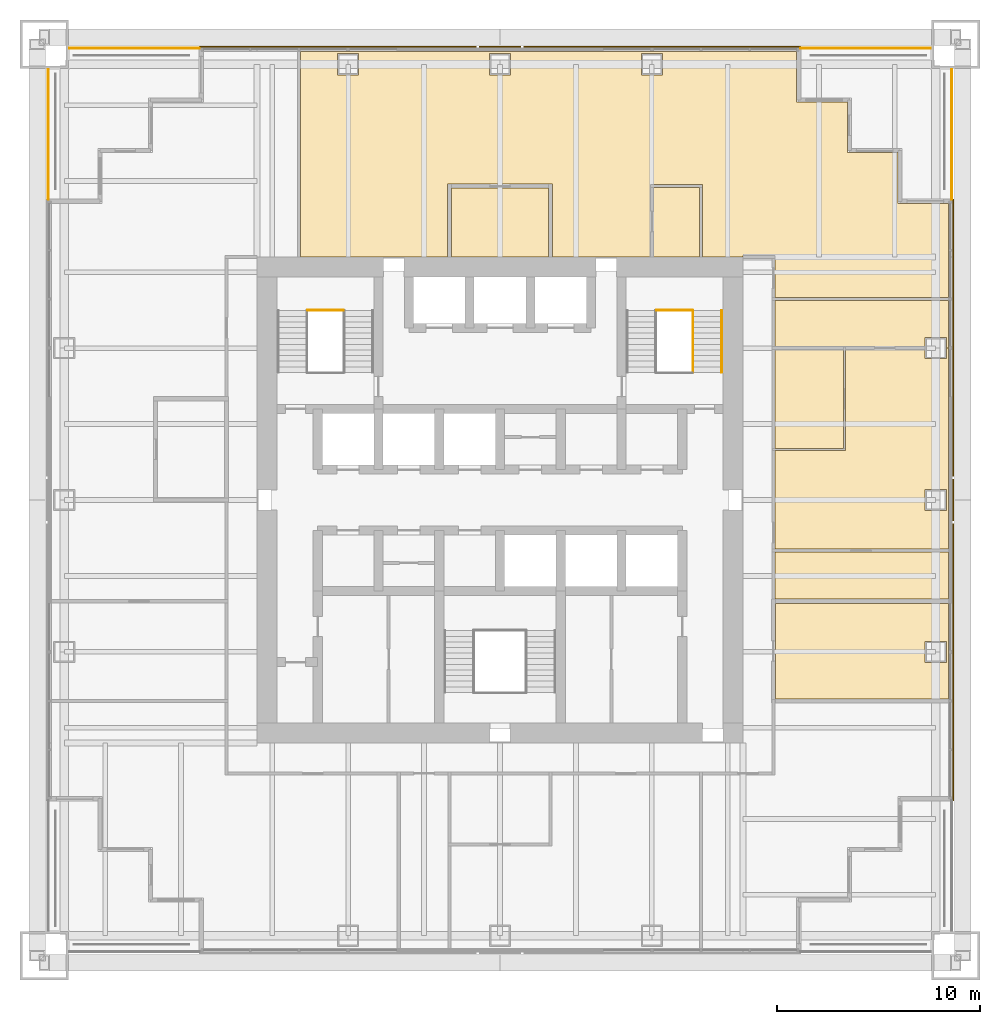
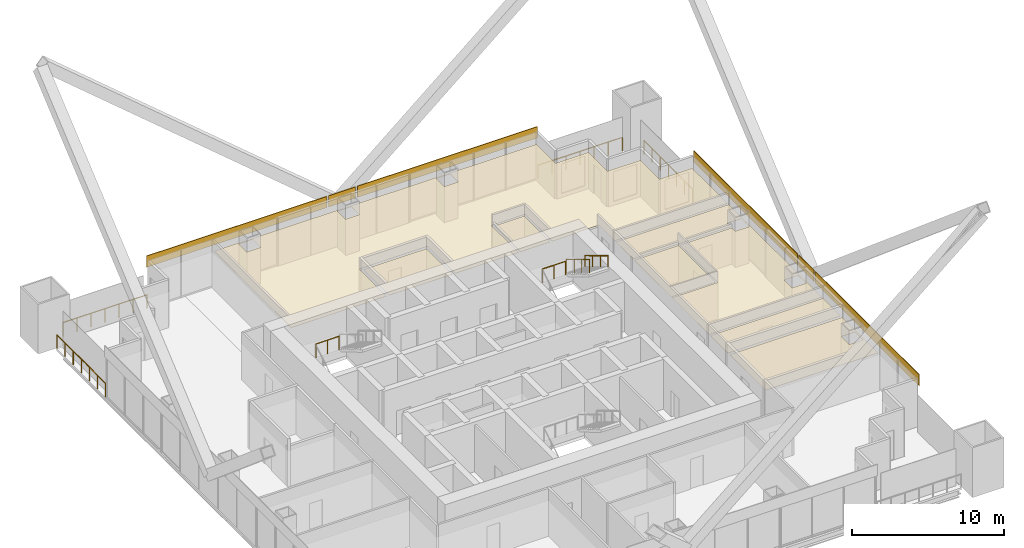
# One storey, part 19 of 19: 14 coverings, 8 railings.
"""IFC4 building model written with IfcOpenShell, lengths in metres."""

from ifc_helpers import new_model, si_unit, direction, frame, origin, origin_2d, place, context, subcontext, project, spatial, polyline, rectangle, circle, outline, extrude, material, layer, layer_set, type_object, element, save


model = new_model("IFC4")

# Units and contexts
model_context = context("Model", 3, precision=1e-05, world=origin(), true_north=direction((0.0, 1.0)))
body_context = subcontext(model_context, "Body", "Model", "MODEL_VIEW")
ifc_project = project(units=[si_unit("LENGTHUNIT", "METRE"), si_unit("AREAUNIT", "SQUARE_METRE"), si_unit("VOLUMEUNIT", "CUBIC_METRE"), si_unit("PLANEANGLEUNIT", "RADIAN"), si_unit("MASSUNIT", "GRAM", prefix="KILO")], contexts=[model_context])

# Site, building, storey
site_placement = place(None, origin())
site = spatial("IfcSite", under=ifc_project, at=site_placement, CompositionType="ELEMENT")
building_placement = place(site_placement, origin())
building = spatial("IfcBuilding", under=site, at=building_placement, Name="Tarangal Relay Tower", CompositionType="ELEMENT")
storey_placement = place(building_placement, frame((0.0, 0.0, 193.89990234375)))
storey = spatial("IfcBuildingStorey", under=building, at=storey_placement, Name="L40", CompositionType="ELEMENT", Elevation=193.89990234375)

# Coverings
ifc_material_1 = material(Name="Black anodised aluminium cladding", Category="aluminium")
ifc_layer_1 = layer(ifc_material_1, 0.050048828125)
ifc_layer_set_1 = layer_set([ifc_layer_1], Name="Black metal spandrel band")
covering_type_1 = type_object("IfcCoveringType", Name="Black metal spandrel band", PredefinedType="CLADDING", material=ifc_layer_set_1)
covering_1_placement = place(storey_placement, frame((-8.0078125, 22.375, 3.250244140625), z_axis=(0.0, 0.0, 1.0), x_axis=(1.0, 0.0, 0.0)))
element("IfcCovering", 1, at=covering_1_placement, inside=storey, type_object=covering_type_1, Name="Spandrel band SB1 N L40", PredefinedType="CLADDING", context=body_context, shape_type="SweptSolid", body=[
    extrude(rectangle(XDim=13.6845703125, YDim=0.050048828125, at=origin_2d()), origin(), (0.0, 0.0, 1.0), 0.89990234375),
])
covering_2_placement = place(storey_placement, frame((0.0, 22.375, 3.250244140625), z_axis=(0.0, 0.0, 1.0), x_axis=(1.0, 0.0, 0.0)))
element("IfcCovering", 2, at=covering_2_placement, inside=storey, type_object=covering_type_1, Name="Spandrel band SB1 N L40", PredefinedType="CLADDING", context=body_context, shape_type="SweptSolid", body=[
    extrude(rectangle(XDim=2.05078125, YDim=0.050048828125, at=origin_2d()), origin(), (0.0, 0.0, 1.0), 0.89990234375),
])
for number, where, z_axis, x_axis, name in (
    (3, (8.0078125, 22.375, 3.250244140625), (0.0, 0.0, 1.0), (1.0, 0.0, 0.0), "Spandrel band SB1 N L40"),
    (4, (22.375, 8.0078125, 3.250244140625), (0.0, 0.0, 1.0), (0.0, -1.0, 0.0), "Spandrel band SB1 E L40"),
):
    element("IfcCovering", number, at=place(storey_placement, frame(where, z_axis=z_axis, x_axis=x_axis)), inside=storey, type_object=covering_type_1, Name=name, PredefinedType="CLADDING", context=body_context, shape_type="SweptSolid", body=[
        extrude(rectangle(XDim=13.6845703125, YDim=0.050048828125, at=origin_2d()), origin(), (0.0, 0.0, 1.0), 0.89990234375),
    ])
covering_3_placement = place(storey_placement, frame((22.375, 0.0, 3.250244140625), z_axis=(0.0, 0.0, 1.0), x_axis=(0.0, -1.0, 0.0)))
element("IfcCovering", 5, at=covering_3_placement, inside=storey, type_object=covering_type_1, Name="Spandrel band SB1 E L40", PredefinedType="CLADDING", context=body_context, shape_type="SweptSolid", body=[
    extrude(rectangle(XDim=2.05078125, YDim=0.050048828125, at=origin_2d()), origin(), (0.0, 0.0, 1.0), 0.89990234375),
])
covering_4_placement = place(storey_placement, frame((22.375, -8.0078125, 3.250244140625), z_axis=(0.0, 0.0, 1.0), x_axis=(0.0, -1.0, 0.0)))
element("IfcCovering", 6, at=covering_4_placement, inside=storey, type_object=covering_type_1, Name="Spandrel band SB1 E L40", PredefinedType="CLADDING", context=body_context, shape_type="SweptSolid", body=[
    extrude(rectangle(XDim=13.6845703125, YDim=0.050048828125, at=origin_2d()), origin(), (0.0, 0.0, 1.0), 0.89990234375),
])

# Railings
ifc_material_2 = material(Name="Steel guard, black finish", Category="steel")
railing_type_1 = type_object("IfcRailingType", Name="Stair guard 1100", PredefinedType="GUARDRAIL", material=ifc_material_2)
railing_1_placement = place(storey_placement, frame((-9.5, 9.376953125, 2.0)))
element("IfcRailing", 7, at=railing_1_placement, inside=storey, type_object=railing_type_1, Name="Stair ST-A landing guard GR1 L40", PredefinedType="GUARDRAIL", context=body_context, shape_type="SweptSolid", body=[
    extrude(circle(Radius=0.02392578125, at=origin_2d()), frame((0.0, 0.0, 1.076171875), z_axis=(1.0, 0.0, 0.0), x_axis=(0.0, 1.0, 0.0)), (0.0, 0.0, 1.0), 1.77490234375),
    extrude(circle(Radius=0.02099609375, at=origin_2d()), origin(), (0.0, 0.0, 1.0), 1.052001953125),
    extrude(circle(Radius=0.02099609375, at=origin_2d()), frame((0.887451171875, 0.0, 0.0)), (0.0, 0.0, 1.0), 1.052001953125),
    extrude(circle(Radius=0.02099609375, at=origin_2d()), frame((1.77490234375, 0.0, 0.0)), (0.0, 0.0, 1.0), 1.052001953125),
])
railing_2_placement = place(storey_placement, frame((9.530029296875, 9.346923828125, 2.166748046875)))
element("IfcRailing", 8, at=railing_2_placement, inside=storey, type_object=railing_type_1, Name="Stair ST-B guard GR1 L40 flight 2", PredefinedType="GUARDRAIL", context=body_context, shape_type="SweptSolid", body=[
    extrude(circle(Radius=0.02392578125, at=origin_2d()), frame((0.0, 0.0, 1.076171875), z_axis=(0.0, -0.85685617095, 0.515555527858), x_axis=(1.0, 0.0, 0.0)), (0.0, 0.0, 1.0), 3.555908203125),
    extrude(circle(Radius=0.02099609375, at=origin_2d()), origin(), (0.0, 0.0, 1.0), 1.052001953125),
    extrude(circle(Radius=0.02099609375, at=origin_2d()), frame((0.0, -1.015625, 0.611083984375)), (0.0, 0.0, 1.0), 1.052001953125),
    extrude(circle(Radius=0.02099609375, at=origin_2d()), frame((0.0, -2.03125, 1.22216796875)), (0.0, 0.0, 1.0), 1.052001953125),
    extrude(circle(Radius=0.02099609375, at=origin_2d()), frame((0.0, -3.046875, 1.833251953125)), (0.0, 0.0, 1.0), 1.052001953125),
])
railing_3_placement = place(storey_placement, frame((7.72509765625, 9.376953125, 2.0)))
element("IfcRailing", 9, at=railing_3_placement, inside=storey, type_object=railing_type_1, Name="Stair ST-B landing guard GR1 L40", PredefinedType="GUARDRAIL", context=body_context, shape_type="SweptSolid", body=[
    extrude(circle(Radius=0.02392578125, at=origin_2d()), frame((0.0, 0.0, 1.076171875), z_axis=(1.0, 0.0, 0.0), x_axis=(0.0, 1.0, 0.0)), (0.0, 0.0, 1.0), 1.77490234375),
    extrude(circle(Radius=0.02099609375, at=origin_2d()), origin(), (0.0, 0.0, 1.0), 1.052001953125),
    extrude(circle(Radius=0.02099609375, at=origin_2d()), frame((0.887451171875, 0.0, 0.0)), (0.0, 0.0, 1.0), 1.052001953125),
    extrude(circle(Radius=0.02099609375, at=origin_2d()), frame((1.77490234375, 0.0, 0.0)), (0.0, 0.0, 1.0), 1.052001953125),
])
ifc_material_3 = material(Name="Steel handrail, black finish", Category="steel")
railing_type_2 = type_object("IfcRailingType", Name="Stair handrail 900", PredefinedType="HANDRAIL", material=ifc_material_3)
railing_4_placement = place(storey_placement, frame((10.93994140625, 9.346923828125, 2.166748046875)))
element("IfcRailing", 10, at=railing_4_placement, inside=storey, type_object=railing_type_2, Name="Stair ST-B handrail HR1 L40 flight 2", PredefinedType="HANDRAIL", context=body_context, shape_type="SweptSolid", body=[
    extrude(circle(Radius=0.02392578125, at=origin_2d()), frame((0.0, 0.0, 0.8759765625), z_axis=(0.0, -0.85685617095, 0.515555527858), x_axis=(1.0, 0.0, 0.0)), (0.0, 0.0, 1.0), 3.555908203125),
    extrude(circle(Radius=0.02099609375, at=origin_2d()), origin(), (0.0, 0.0, 1.0), 0.851806640625),
    extrude(circle(Radius=0.02099609375, at=origin_2d()), frame((0.0, -1.015625, 0.611083984375)), (0.0, 0.0, 1.0), 0.851806640625),
    extrude(circle(Radius=0.02099609375, at=origin_2d()), frame((0.0, -2.03125, 1.22216796875)), (0.0, 0.0, 1.0), 0.851806640625),
    extrude(circle(Radius=0.02099609375, at=origin_2d()), frame((0.0, -3.046875, 1.833251953125)), (0.0, 0.0, 1.0), 0.851806640625),
])

# Coverings
ifc_material_4 = material(Name="Mineral fibre ceiling tiles", Category="gypsum")
ifc_layer_2 = layer(ifc_material_4, 0.02001953125)
ifc_layer_set_2 = layer_set([ifc_layer_2], Name="Suspended ceiling")
covering_type_2 = type_object("IfcCoveringType", Name="Suspended ceiling", PredefinedType="CEILING", material=ifc_layer_set_2)
covering_5_placement = place(storey_placement, frame((0.0, 0.0, 2.900146484375)))
element("IfcCovering", 11, at=covering_5_placement, inside=storey, type_object=covering_type_2, Name="Suspended ceiling CL1 L40-02", PredefinedType="CEILING", context=body_context, shape_type="SweptSolid", body=[
    extrude(outline(polyline([(2.39990234375, 12.0), (2.39990234375, 15.39990234375), (-2.39990234375, 15.39990234375), (-2.39990234375, 12.0), (2.39990234375, 12.0)])), origin(), (0.0, 0.0, 1.0), 0.02001953125),
])
covering_6_placement = place(storey_placement, frame((0.0, 0.0, 2.900146484375)))
element("IfcCovering", 12, at=covering_6_placement, inside=storey, type_object=covering_type_2, Name="Suspended ceiling CL1 L40-03", PredefinedType="CEILING", context=body_context, shape_type="SweptSolid", body=[
    extrude(outline(polyline([(9.842041015625, 12.0), (9.842041015625, 15.425048828125), (7.574951171875, 15.425048828125), (7.574951171875, 12.0), (9.842041015625, 12.0)])), origin(), (0.0, 0.0, 1.0), 0.02001953125),
])
covering_7_placement = place(storey_placement, frame((0.0, 0.0, 2.900146484375)))
element("IfcCovering", 13, at=covering_7_placement, inside=storey, type_object=covering_type_2, Name="Suspended ceiling CL1 L40-04", PredefinedType="CEILING", context=body_context, shape_type="SweptSolid", body=[
    extrude(outline(polyline([(22.14990234375, 7.5), (22.14990234375, 9.842041015625), (13.574951171875, 9.842041015625), (13.574951171875, 7.574951171875), (20.989990234375, 7.574951171875), (20.989990234375, 8.02490234375), (22.0400390625, 8.02490234375), (22.0400390625, 7.5), (22.14990234375, 7.5)])), origin(), (0.0, 0.0, 1.0), 0.02001953125),
])
covering_8_placement = place(storey_placement, frame((0.0, 0.0, 2.900146484375)))
element("IfcCovering", 14, at=covering_8_placement, inside=storey, type_object=covering_type_2, Name="Suspended ceiling CL1 L40-05", PredefinedType="CEILING", context=body_context, shape_type="SweptSolid", body=[
    extrude(outline(polyline([(13.574951171875, 7.425048828125), (13.574951171875, 2.550048828125), (16.949951171875, 2.550048828125), (16.949951171875, 7.425048828125), (13.574951171875, 7.425048828125)])), origin(), (0.0, 0.0, 1.0), 0.02001953125),
])
covering_9_placement = place(storey_placement, frame((0.0, 0.0, 2.900146484375)))
element("IfcCovering", 15, at=covering_9_placement, inside=storey, type_object=covering_type_2, Name="Suspended ceiling CL1 L40-06", PredefinedType="CEILING", context=body_context, shape_type="SweptSolid", body=[
    extrude(outline(polyline([(22.14990234375, 7.5), (22.0400390625, 7.5), (22.0400390625, 6.97509765625), (20.989990234375, 6.97509765625), (20.989990234375, 7.425048828125), (17.050048828125, 7.425048828125), (17.050048828125, 2.449951171875), (13.574951171875, 2.449951171875), (13.574951171875, -2.425048828125), (22.14990234375, -2.425048828125), (22.14990234375, 7.5)]), holes=[polyline([(22.0400390625, -0.52490234375), (22.0400390625, 0.52490234375), (20.989990234375, 0.52490234375), (20.989990234375, -0.52490234375), (22.0400390625, -0.52490234375)])]), origin(), (0.0, 0.0, 1.0), 0.02001953125),
])
covering_10_placement = place(storey_placement, frame((0.0, 0.0, 2.900146484375)))
element("IfcCovering", 16, at=covering_10_placement, inside=storey, type_object=covering_type_2, Name="Suspended ceiling CL1 L40-07", PredefinedType="CEILING", context=body_context, shape_type="SweptSolid", body=[
    extrude(outline(polyline([(22.14990234375, -2.574951171875), (13.574951171875, -2.574951171875), (13.574951171875, -4.89990234375), (22.14990234375, -4.89990234375), (22.14990234375, -2.574951171875)])), origin(), (0.0, 0.0, 1.0), 0.02001953125),
])
covering_11_placement = place(storey_placement, frame((0.0, 0.0, 2.900146484375)))
element("IfcCovering", 17, at=covering_11_placement, inside=storey, type_object=covering_type_2, Name="Suspended ceiling CL1 L40-08", PredefinedType="CEILING", context=body_context, shape_type="SweptSolid", body=[
    extrude(outline(polyline([(22.14990234375, -9.81689453125), (22.14990234375, -5.10009765625), (13.60009765625, -5.10009765625), (13.60009765625, -9.81689453125), (22.14990234375, -9.81689453125)]), holes=[polyline([(22.0400390625, -6.97509765625), (20.989990234375, -6.97509765625), (20.989990234375, -8.02490234375), (22.0400390625, -8.02490234375), (22.0400390625, -6.97509765625)])]), origin(), (0.0, 0.0, 1.0), 0.02001953125),
])
covering_12_placement = place(storey_placement, frame((0.0, 0.0, 2.900146484375)))
element("IfcCovering", 18, at=covering_12_placement, inside=storey, type_object=covering_type_2, Name="Suspended ceiling CL1 L40-14", PredefinedType="CEILING", context=body_context, shape_type="SweptSolid", body=[
    extrude(outline(polyline([(7.425048828125, 12.0), (7.425048828125, 15.574951171875), (9.991943359375, 15.574951171875), (9.991943359375, 12.0), (12.0, 12.0), (12.0, 12.074951171875), (13.574951171875, 12.074951171875), (13.574951171875, 9.991943359375), (22.14990234375, 9.991943359375), (22.14990234375, 14.64990234375), (19.64990234375, 14.64990234375), (19.64990234375, 17.14990234375), (17.14990234375, 17.14990234375), (17.14990234375, 19.64990234375), (14.64990234375, 19.64990234375), (14.64990234375, 22.14990234375), (-9.842041015625, 22.14990234375), (-9.842041015625, 12.0), (-2.60009765625, 12.0), (-2.60009765625, 15.60009765625), (2.60009765625, 15.60009765625), (2.60009765625, 12.0), (7.425048828125, 12.0)]), holes=[polyline([(-6.97509765625, 20.989990234375), (-6.97509765625, 22.0400390625), (-8.02490234375, 22.0400390625), (-8.02490234375, 20.989990234375), (-6.97509765625, 20.989990234375)]), polyline([(-0.52490234375, 20.989990234375), (0.52490234375, 20.989990234375), (0.52490234375, 22.0400390625), (-0.52490234375, 22.0400390625), (-0.52490234375, 20.989990234375)]), polyline([(6.97509765625, 20.989990234375), (8.02490234375, 20.989990234375), (8.02490234375, 22.0400390625), (6.97509765625, 22.0400390625), (6.97509765625, 20.989990234375)])]), origin(), (0.0, 0.0, 1.0), 0.02001953125),
])

# Railings
ifc_material_5 = material(Name="Black steel guard with glass infill", Category="steel")
railing_type_3 = type_object("IfcRailingType", Name="Terrace guard 1100", PredefinedType="GUARDRAIL", material=ifc_material_5)
railing_5_placement = place(storey_placement, frame((14.85009765625, 22.300048828125, 0.0)))
element("IfcRailing", 19, at=railing_5_placement, inside=storey, type_object=railing_type_3, Name="Terrace guard GR2 NE L40", PredefinedType="GUARDRAIL", context=body_context, shape_type="SweptSolid", body=[
    extrude(circle(Radius=0.02392578125, at=origin_2d()), frame((0.0, 0.0, 1.076171875), z_axis=(1.0, 0.0, 0.0), x_axis=(0.0, 1.0, 0.0)), (0.0, 0.0, 1.0), 6.39990234375),
    extrude(circle(Radius=0.02099609375, at=origin_2d()), origin(), (0.0, 0.0, 1.0), 1.052001953125),
    extrude(circle(Radius=0.02099609375, at=origin_2d()), frame((1.066650390625, 0.0, 0.0)), (0.0, 0.0, 1.0), 1.052001953125),
    extrude(circle(Radius=0.02099609375, at=origin_2d()), frame((2.13330078125, 0.0, 0.0)), (0.0, 0.0, 1.0), 1.052001953125),
    extrude(circle(Radius=0.02099609375, at=origin_2d()), frame((3.199951171875, 0.0, 0.0)), (0.0, 0.0, 1.0), 1.052001953125),
    extrude(circle(Radius=0.02099609375, at=origin_2d()), frame((4.2666015625, 0.0, 0.0)), (0.0, 0.0, 1.0), 1.052001953125),
    extrude(circle(Radius=0.02099609375, at=origin_2d()), frame((5.333251953125, 0.0, 0.0)), (0.0, 0.0, 1.0), 1.052001953125),
    extrude(circle(Radius=0.02099609375, at=origin_2d()), frame((6.39990234375, 0.0, 0.0)), (0.0, 0.0, 1.0), 1.052001953125),
])
railing_6_placement = place(storey_placement, frame((22.300048828125, 21.25, 0.0)))
element("IfcRailing", 20, at=railing_6_placement, inside=storey, type_object=railing_type_3, Name="Terrace guard GR2 NE L40", PredefinedType="GUARDRAIL", context=body_context, shape_type="SweptSolid", body=[
    extrude(circle(Radius=0.02392578125, at=origin_2d()), frame((0.0, 0.0, 1.076171875), z_axis=(0.0, -1.0, 0.0), x_axis=(1.0, 0.0, 0.0)), (0.0, 0.0, 1.0), 6.39990234375),
    extrude(circle(Radius=0.02099609375, at=origin_2d()), origin(), (0.0, 0.0, 1.0), 1.052001953125),
    extrude(circle(Radius=0.02099609375, at=origin_2d()), frame((0.0, -1.066650390625, 0.0)), (0.0, 0.0, 1.0), 1.052001953125),
    extrude(circle(Radius=0.02099609375, at=origin_2d()), frame((0.0, -2.13330078125, 0.0)), (0.0, 0.0, 1.0), 1.052001953125),
    extrude(circle(Radius=0.02099609375, at=origin_2d()), frame((0.0, -3.199951171875, 0.0)), (0.0, 0.0, 1.0), 1.052001953125),
    extrude(circle(Radius=0.02099609375, at=origin_2d()), frame((0.0, -4.2666015625, 0.0)), (0.0, 0.0, 1.0), 1.052001953125),
    extrude(circle(Radius=0.02099609375, at=origin_2d()), frame((0.0, -5.333251953125, 0.0)), (0.0, 0.0, 1.0), 1.052001953125),
    extrude(circle(Radius=0.02099609375, at=origin_2d()), frame((0.0, -6.39990234375, 0.0)), (0.0, 0.0, 1.0), 1.052001953125),
])
railing_7_placement = place(storey_placement, frame((-22.300048828125, 14.85009765625, 0.0)))
element("IfcRailing", 21, at=railing_7_placement, inside=storey, type_object=railing_type_3, Name="Terrace guard GR2 NW L40", PredefinedType="GUARDRAIL", context=body_context, shape_type="SweptSolid", body=[
    extrude(circle(Radius=0.02392578125, at=origin_2d()), frame((0.0, 0.0, 1.076171875), z_axis=(0.0, 1.0, 0.0), x_axis=(-1.0, 0.0, 0.0)), (0.0, 0.0, 1.0), 6.39990234375),
    extrude(circle(Radius=0.02099609375, at=origin_2d()), origin(), (0.0, 0.0, 1.0), 1.052001953125),
    extrude(circle(Radius=0.02099609375, at=origin_2d()), frame((0.0, 1.066650390625, 0.0)), (0.0, 0.0, 1.0), 1.052001953125),
    extrude(circle(Radius=0.02099609375, at=origin_2d()), frame((0.0, 2.13330078125, 0.0)), (0.0, 0.0, 1.0), 1.052001953125),
    extrude(circle(Radius=0.02099609375, at=origin_2d()), frame((0.0, 3.199951171875, 0.0)), (0.0, 0.0, 1.0), 1.052001953125),
    extrude(circle(Radius=0.02099609375, at=origin_2d()), frame((0.0, 4.2666015625, 0.0)), (0.0, 0.0, 1.0), 1.052001953125),
    extrude(circle(Radius=0.02099609375, at=origin_2d()), frame((0.0, 5.333251953125, 0.0)), (0.0, 0.0, 1.0), 1.052001953125),
    extrude(circle(Radius=0.02099609375, at=origin_2d()), frame((0.0, 6.39990234375, 0.0)), (0.0, 0.0, 1.0), 1.052001953125),
])
railing_8_placement = place(storey_placement, frame((-21.25, 22.300048828125, 0.0)))
element("IfcRailing", 22, at=railing_8_placement, inside=storey, type_object=railing_type_3, Name="Terrace guard GR2 NW L40", PredefinedType="GUARDRAIL", context=body_context, shape_type="SweptSolid", body=[
    extrude(circle(Radius=0.02392578125, at=origin_2d()), frame((0.0, 0.0, 1.076171875), z_axis=(1.0, 0.0, 0.0), x_axis=(0.0, 1.0, 0.0)), (0.0, 0.0, 1.0), 6.39990234375),
    extrude(circle(Radius=0.02099609375, at=origin_2d()), origin(), (0.0, 0.0, 1.0), 1.052001953125),
    extrude(circle(Radius=0.02099609375, at=origin_2d()), frame((1.066650390625, 0.0, 0.0)), (0.0, 0.0, 1.0), 1.052001953125),
    extrude(circle(Radius=0.02099609375, at=origin_2d()), frame((2.13330078125, 0.0, 0.0)), (0.0, 0.0, 1.0), 1.052001953125),
    extrude(circle(Radius=0.02099609375, at=origin_2d()), frame((3.199951171875, 0.0, 0.0)), (0.0, 0.0, 1.0), 1.052001953125),
    extrude(circle(Radius=0.02099609375, at=origin_2d()), frame((4.2666015625, 0.0, 0.0)), (0.0, 0.0, 1.0), 1.052001953125),
    extrude(circle(Radius=0.02099609375, at=origin_2d()), frame((5.333251953125, 0.0, 0.0)), (0.0, 0.0, 1.0), 1.052001953125),
    extrude(circle(Radius=0.02099609375, at=origin_2d()), frame((6.39990234375, 0.0, 0.0)), (0.0, 0.0, 1.0), 1.052001953125),
])

save(model, "model.ifc")
